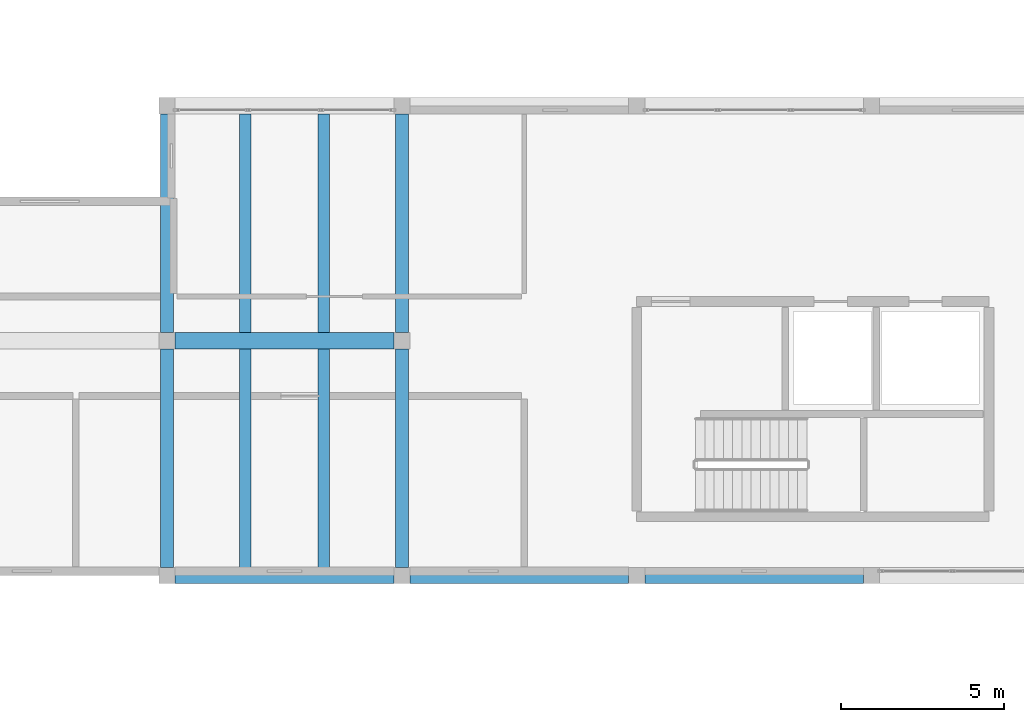
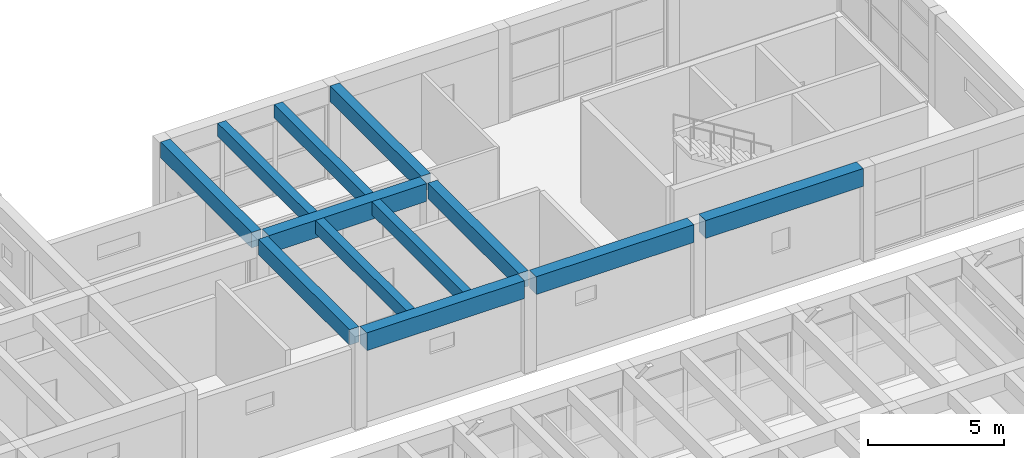
# One storey, part 100 of 153: 12 beams.
"""IFC4 building model written with IfcOpenShell, lengths in metres."""

from ifc_helpers import new_model, si_unit, direction, frame, origin, origin_2d, place, context, subcontext, project, spatial, rectangle, extrude, material, material_profile, profile_set, type_object, element, save


model = new_model("IFC4")

# Units and contexts
model_context = context("Model", 3, precision=1e-05, world=origin(), true_north=direction((0.0, 1.0)))
body_context = subcontext(model_context, "Body", "Model", "MODEL_VIEW")
ifc_project = project(units=[si_unit("LENGTHUNIT", "METRE"), si_unit("AREAUNIT", "SQUARE_METRE"), si_unit("VOLUMEUNIT", "CUBIC_METRE"), si_unit("PLANEANGLEUNIT", "RADIAN"), si_unit("MASSUNIT", "GRAM", prefix="KILO")], contexts=[model_context])

# Site, building, storey
site_placement = place(None, origin())
site = spatial("IfcSite", under=ifc_project, at=site_placement, CompositionType="ELEMENT")
building_placement = place(site_placement, origin())
building = spatial("IfcBuilding", under=site, at=building_placement, Name="Bramvelor Terrace Health Centre", CompositionType="ELEMENT")
storey_placement = place(building_placement, frame((0.0, 0.0, 4.800048828125)))
storey = spatial("IfcBuildingStorey", under=building, at=storey_placement, Name="L02", CompositionType="ELEMENT", Elevation=4.800048828125)

# Beams
ifc_material_1 = material(Name="Concrete C40/50", Category="concrete")
ifc_material_profile_1 = material_profile(ifc_material_1, rectangle(XDim=0.39990234375, YDim=0.699951171875, at=origin_2d()), Name="RC 400x700")
ifc_profile_set_1 = profile_set([ifc_material_profile_1], Name="Concrete C40/50")
beam_type_1 = type_object("IfcBeamType", Name="BM-RC-G700", PredefinedType="BEAM", material=ifc_profile_set_1)
beam_1_placement = place(storey_placement, frame((64.800048828125, 86.64990234375, 3.849853515625), z_axis=(0.0, 1.0, 0.0), x_axis=(-1.0, 0.0, 0.0)))
element("IfcBeam", 1, at=beam_1_placement, inside=storey, type_object=beam_type_1, Name="L02 Floor Girder", PredefinedType="BEAM", context=body_context, shape_type="SweptSolid", body=[
    extrude(rectangle(XDim=0.39990234375, YDim=0.699951171875, at=origin_2d()), origin(), (0.0, 0.0, 1.0), 6.7001953125),
])
beam_2_placement = place(storey_placement, frame((64.800048828125, 93.85009765625, 3.849853515625), z_axis=(0.0, 1.0, 0.0), x_axis=(-1.0, 0.0, 0.0)))
element("IfcBeam", 2, at=beam_2_placement, inside=storey, type_object=beam_type_1, Name="L02 Floor Girder", PredefinedType="BEAM", context=body_context, shape_type="SweptSolid", body=[
    extrude(rectangle(XDim=0.39990234375, YDim=0.699951171875, at=origin_2d()), origin(), (0.0, 0.0, 1.0), 6.699951171875),
])
beam_3_placement = place(storey_placement, frame((72.0, 86.64990234375, 3.849853515625), z_axis=(0.0, 1.0, 0.0), x_axis=(-1.0, 0.0, 0.0)))
element("IfcBeam", 3, at=beam_3_placement, inside=storey, type_object=beam_type_1, Name="L02 Floor Girder", PredefinedType="BEAM", context=body_context, shape_type="SweptSolid", body=[
    extrude(rectangle(XDim=0.39990234375, YDim=0.699951171875, at=origin_2d()), origin(), (0.0, 0.0, 1.0), 6.7001953125),
])
beam_4_placement = place(storey_placement, frame((72.0, 93.85009765625, 3.849853515625), z_axis=(0.0, 1.0, 0.0), x_axis=(-1.0, 0.0, 0.0)))
element("IfcBeam", 4, at=beam_4_placement, inside=storey, type_object=beam_type_1, Name="L02 Floor Girder", PredefinedType="BEAM", context=body_context, shape_type="SweptSolid", body=[
    extrude(rectangle(XDim=0.39990234375, YDim=0.699951171875, at=origin_2d()), origin(), (0.0, 0.0, 1.0), 6.699951171875),
])
ifc_material_2 = material(Name="Concrete C40/50", Category="concrete")
ifc_material_profile_2 = material_profile(ifc_material_2, rectangle(XDim=0.5, YDim=0.800048828125, at=origin_2d()), Name="RC 500x800")
ifc_profile_set_2 = profile_set([ifc_material_profile_2], Name="Concrete C40/50")
beam_type_2 = type_object("IfcBeamType", Name="BM-RC-G800", PredefinedType="BEAM", material=ifc_profile_set_2)
for number, where, z_axis, x_axis, name in (
    (5, (65.050048828125, 86.39990234375, 3.800048828125), (1.0, 0.0, 0.0), (0.0, 1.0, 0.0), "L02 Floor Girder"),
    (6, (65.050048828125, 93.60009765625, 3.800048828125), (1.0, 0.0, 0.0), (0.0, 1.0, 0.0), "L02 Floor Girder"),
    (7, (72.25, 86.39990234375, 3.800048828125), (1.0, 0.0, 0.0), (0.0, 1.0, 0.0), "L02 Floor Girder"),
    (8, (79.449951171875, 86.39990234375, 3.800048828125), (1.0, 0.0, 0.0), (0.0, 1.0, 0.0), "L02 Floor Girder"),
):
    element("IfcBeam", number, at=place(storey_placement, frame(where, z_axis=z_axis, x_axis=x_axis)), inside=storey, type_object=beam_type_2, Name=name, PredefinedType="BEAM", context=body_context, shape_type="SweptSolid", body=[
        extrude(rectangle(XDim=0.5, YDim=0.800048828125, at=origin_2d()), origin(), (0.0, 0.0, 1.0), 6.699951171875),
    ])
ifc_material_3 = material(Name="Concrete C40/50", Category="concrete")
ifc_material_profile_3 = material_profile(ifc_material_3, rectangle(XDim=0.35009765625, YDim=0.60009765625, at=origin_2d()), Name="RC 350x600")
ifc_profile_set_3 = profile_set([ifc_material_profile_3], Name="Concrete C40/50")
beam_type_3 = type_object("IfcBeamType", Name="BM-RC-J600", PredefinedType="JOIST", material=ifc_profile_set_3)
for number, where, z_axis, x_axis, name in (
    (9, (67.199951171875, 86.64990234375, 3.89990234375), (0.0, 1.0, 0.0), (-1.0, 0.0, 0.0), "L02 Secondary Floor Joist"),
    (10, (69.60009765625, 86.64990234375, 3.89990234375), (0.0, 1.0, 0.0), (-1.0, 0.0, 0.0), "L02 Secondary Floor Joist"),
):
    element("IfcBeam", number, at=place(storey_placement, frame(where, z_axis=z_axis, x_axis=x_axis)), inside=storey, type_object=beam_type_3, Name=name, PredefinedType="JOIST", context=body_context, shape_type="SweptSolid", body=[
        extrude(rectangle(XDim=0.35009765625, YDim=0.60009765625, at=origin_2d()), origin(), (0.0, 0.0, 1.0), 6.7001953125),
    ])
for number, where, z_axis, x_axis, name in (
    (11, (67.199951171875, 93.85009765625, 3.89990234375), (0.0, 1.0, 0.0), (-1.0, 0.0, 0.0), "L02 Secondary Floor Joist"),
    (12, (69.60009765625, 93.85009765625, 3.89990234375), (0.0, 1.0, 0.0), (-1.0, 0.0, 0.0), "L02 Secondary Floor Joist"),
):
    element("IfcBeam", number, at=place(storey_placement, frame(where, z_axis=z_axis, x_axis=x_axis)), inside=storey, type_object=beam_type_3, Name=name, PredefinedType="JOIST", context=body_context, shape_type="SweptSolid", body=[
        extrude(rectangle(XDim=0.35009765625, YDim=0.60009765625, at=origin_2d()), origin(), (0.0, 0.0, 1.0), 6.699951171875),
    ])

save(model, "model.ifc")
